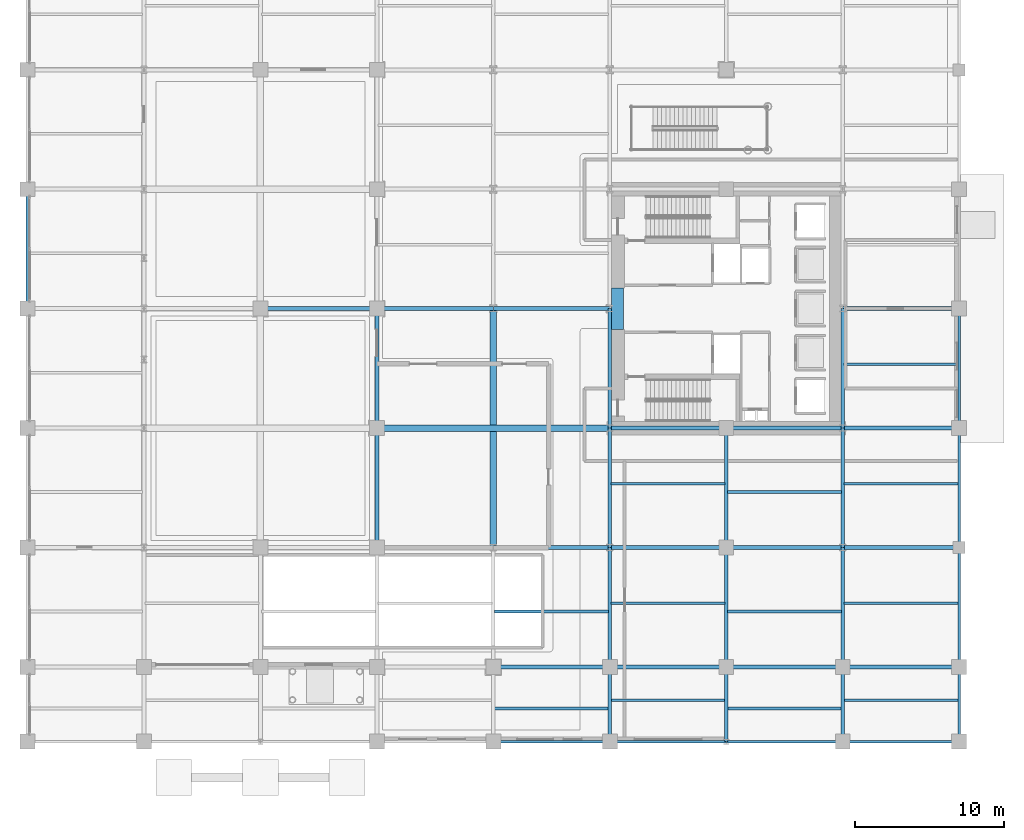
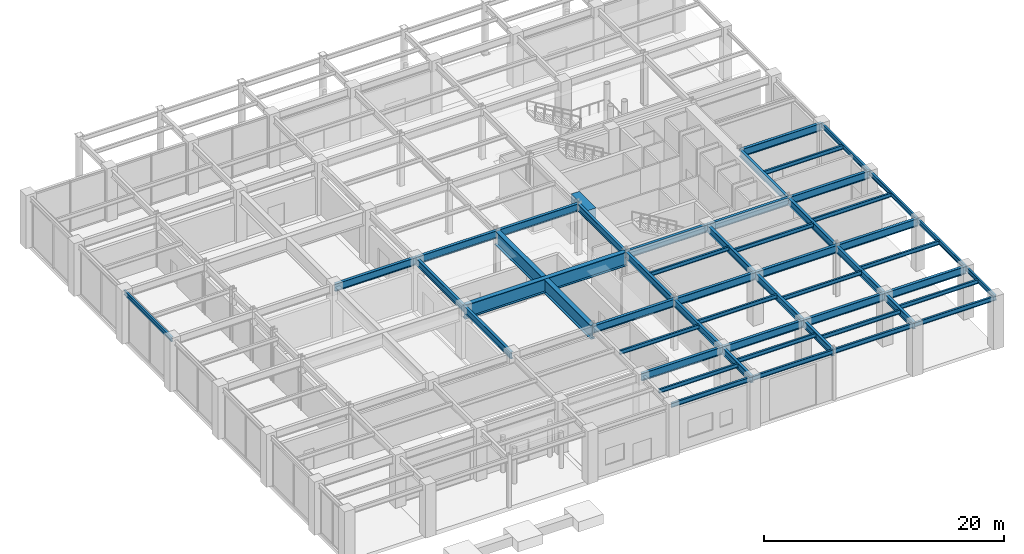
# One storey, part 10 of 27: 52 beams.
"""IFC4 building model written with IfcOpenShell, lengths in metres."""

from ifc_helpers import new_model, si_unit, direction, frame, origin, origin_2d, place, context, subcontext, project, spatial, rectangle, i_section, extrude, material, material_profile, profile_set, type_object, element, save


model = new_model("IFC4")

# Units and contexts
model_context = context("Model", 3, precision=1e-05, world=origin(), true_north=direction((0.0, 1.0)))
body_context = subcontext(model_context, "Body", "Model", "MODEL_VIEW")
ifc_project = project(units=[si_unit("LENGTHUNIT", "METRE"), si_unit("AREAUNIT", "SQUARE_METRE"), si_unit("VOLUMEUNIT", "CUBIC_METRE"), si_unit("PLANEANGLEUNIT", "RADIAN"), si_unit("MASSUNIT", "GRAM", prefix="KILO")], contexts=[model_context])

# Site, building, storey
site_placement = place(None, origin())
site = spatial("IfcSite", under=ifc_project, at=site_placement, CompositionType="ELEMENT")
building_placement = place(site_placement, origin())
building = spatial("IfcBuilding", under=site, at=building_placement, Name="Veymaron Broadcast Tower", CompositionType="ELEMENT")
storey_placement = place(building_placement, origin())
storey = spatial("IfcBuildingStorey", under=building, at=storey_placement, Name="L00", CompositionType="ELEMENT", Elevation=0.0)

# Beams
ifc_material_1 = material(Name="Concrete C70/85", Category="concrete")
ifc_material_profile_1 = material_profile(ifc_material_1, rectangle(XDim=0.800048828125, YDim=1.10009765625, at=origin_2d()), Name="RC800X1100")
ifc_profile_set_1 = profile_set([ifc_material_profile_1], Name="Concrete C70/85")
beam_type_1 = type_object("IfcBeamType", Name="BM-CB1", PredefinedType="LINTEL", material=ifc_profile_set_1)
beam_1_placement = place(storey_placement, frame((39.530029296875, 22.60009765625, 4.570068359375), z_axis=(0.0, 1.0, 0.0), x_axis=(-1.0, 0.0, 0.0)))
element("IfcBeam", 1, at=beam_1_placement, inside=storey, type_object=beam_type_1, Name="L00 Core Wall west coupling beam", PredefinedType="LINTEL", context=body_context, shape_type="SweptSolid", body=[
    extrude(rectangle(XDim=0.800048828125, YDim=1.10009765625, at=origin_2d()), origin(), (0.0, 0.0, 1.0), 2.7998046875),
])
ifc_material_2 = material(Name="Structural steel ASTM A992 Gr 50", Category="steel")
ifc_material_profile_2 = material_profile(ifc_material_2, i_section(OverallWidth=0.177978515625, OverallDepth=0.406982421875, WebThickness=0.0078125, FlangeThickness=0.0126953125, at=origin_2d()), Name="W410X60")
ifc_profile_set_2 = profile_set([ifc_material_profile_2], Name="Structural steel ASTM A992 Gr 50")
beam_type_2 = type_object("IfcBeamType", Name="BM-JS1", PredefinedType="JOIST", material=ifc_profile_set_2)
for number, where, z_axis, x_axis, name in (
    (2, (31.284912109375, -2.780029296875, 4.91650390625), (1.0, 0.0, 0.0), (0.0, 1.0, 0.0), "L00 podium secondary floor joist"),
    (3, (31.284912109375, 3.719970703125, 4.91650390625), (1.0, 0.0, 0.0), (0.0, 1.0, 0.0), "L00 podium secondary floor joist"),
    (4, (39.0849609375, -2.219970703125, 4.91650390625), (1.0, 0.0, 0.0), (0.0, 1.0, 0.0), "L00 podium secondary floor joist"),
    (5, (39.0849609375, 4.280029296875, 4.91650390625), (1.0, 0.0, 0.0), (0.0, 1.0, 0.0), "L00 podium secondary floor joist"),
    (6, (39.0849609375, 12.280029296875, 4.91650390625), (1.0, 0.0, 0.0), (0.0, 1.0, 0.0), "L00 podium secondary floor joist"),
):
    element("IfcBeam", number, at=place(storey_placement, frame(where, z_axis=z_axis, x_axis=x_axis)), inside=storey, type_object=beam_type_2, Name=name, PredefinedType="JOIST", context=body_context, shape_type="SweptSolid", body=[
        extrude(i_section(OverallWidth=0.177978515625, OverallDepth=0.406982421875, WebThickness=0.0078125, FlangeThickness=0.0126953125, at=origin_2d()), origin(), (0.0, 0.0, 1.0), 7.630126953125),
    ])
for number, where, z_axis, x_axis, name in (
    (7, (46.885009765625, -2.780029296875, 4.91650390625), (1.0, 0.0, 0.0), (0.0, 1.0, 0.0), "L00 podium secondary floor joist"),
    (8, (46.885009765625, 3.719970703125, 4.91650390625), (1.0, 0.0, 0.0), (0.0, 1.0, 0.0), "L00 podium secondary floor joist"),
    (9, (46.885009765625, 11.719970703125, 4.91650390625), (1.0, 0.0, 0.0), (0.0, 1.0, 0.0), "L00 podium secondary floor joist"),
    (10, (54.68505859375, -2.219970703125, 4.91650390625), (1.0, 0.0, 0.0), (0.0, 1.0, 0.0), "L00 podium secondary floor joist"),
    (11, (54.68505859375, 4.280029296875, 4.91650390625), (1.0, 0.0, 0.0), (0.0, 1.0, 0.0), "L00 podium secondary floor joist"),
    (12, (54.68505859375, 12.280029296875, 4.91650390625), (1.0, 0.0, 0.0), (0.0, 1.0, 0.0), "L00 podium secondary floor joist"),
    (13, (54.68505859375, 20.280029296875, 4.91650390625), (1.0, 0.0, 0.0), (0.0, 1.0, 0.0), "L00 podium secondary floor joist"),
):
    element("IfcBeam", number, at=place(storey_placement, frame(where, z_axis=z_axis, x_axis=x_axis)), inside=storey, type_object=beam_type_2, Name=name, PredefinedType="JOIST", context=body_context, shape_type="SweptSolid", body=[
        extrude(i_section(OverallWidth=0.177978515625, OverallDepth=0.406982421875, WebThickness=0.0078125, FlangeThickness=0.0126953125, at=origin_2d()), origin(), (0.0, 0.0, 1.0), 7.6298828125),
    ])
ifc_material_profile_3 = material_profile(ifc_material_2, i_section(OverallWidth=0.26806640625, OverallDepth=0.77001953125, WebThickness=0.015625, FlangeThickness=0.025390625, at=origin_2d()), Name="W760X196")
ifc_profile_set_3 = profile_set([ifc_material_profile_3], Name="Structural steel ASTM A992 Gr 50")
beam_type_3 = type_object("IfcBeamType", Name="BM-PG1", PredefinedType="BEAM", material=ifc_profile_set_3)
for number, where, z_axis, x_axis, name in (
    (14, (31.199951171875, 0.0, 4.735107421875), (1.0, 0.0, 0.0), (0.0, 1.0, 0.0), "L00 podium primary X-girder"),
    (15, (39.0, 0.0, 4.735107421875), (1.0, 0.0, 0.0), (0.0, 1.0, 0.0), "L00 podium primary X-girder"),
    (16, (46.800048828125, 0.0, 4.735107421875), (1.0, 0.0, 0.0), (0.0, 1.0, 0.0), "L00 podium primary X-girder"),
):
    element("IfcBeam", number, at=place(storey_placement, frame(where, z_axis=z_axis, x_axis=x_axis)), inside=storey, type_object=beam_type_3, Name=name, PredefinedType="BEAM", context=body_context, shape_type="SweptSolid", body=[
        extrude(i_section(OverallWidth=0.26806640625, OverallDepth=0.77001953125, WebThickness=0.015625, FlangeThickness=0.025390625, at=origin_2d()), origin(), (0.0, 0.0, 1.0), 7.800048828125),
    ])
beam_2_placement = place(storey_placement, frame((54.60009765625, 0.0, 4.735107421875), z_axis=(1.0, 0.0, 0.0), x_axis=(0.0, 1.0, 0.0)))
element("IfcBeam", 17, at=beam_2_placement, inside=storey, type_object=beam_type_3, Name="L00 podium primary X-girder", PredefinedType="BEAM", context=body_context, shape_type="SweptSolid", body=[
    extrude(i_section(OverallWidth=0.26806640625, OverallDepth=0.77001953125, WebThickness=0.015625, FlangeThickness=0.025390625, at=origin_2d()), origin(), (0.0, 0.0, 1.0), 7.7998046875),
])
for number, where, z_axis, x_axis, name in (
    (18, (31.199951171875, 8.0, 4.735107421875), (1.0, 0.0, 0.0), (0.0, 1.0, 0.0), "L00 podium primary X-girder"),
    (19, (39.0, 8.0, 4.735107421875), (1.0, 0.0, 0.0), (0.0, 1.0, 0.0), "L00 podium primary X-girder"),
    (20, (46.800048828125, 8.0, 4.735107421875), (1.0, 0.0, 0.0), (0.0, 1.0, 0.0), "L00 podium primary X-girder"),
):
    element("IfcBeam", number, at=place(storey_placement, frame(where, z_axis=z_axis, x_axis=x_axis)), inside=storey, type_object=beam_type_3, Name=name, PredefinedType="BEAM", context=body_context, shape_type="SweptSolid", body=[
        extrude(i_section(OverallWidth=0.26806640625, OverallDepth=0.77001953125, WebThickness=0.015625, FlangeThickness=0.025390625, at=origin_2d()), origin(), (0.0, 0.0, 1.0), 7.800048828125),
    ])
beam_3_placement = place(storey_placement, frame((54.60009765625, 8.0, 4.735107421875), z_axis=(1.0, 0.0, 0.0), x_axis=(0.0, 1.0, 0.0)))
element("IfcBeam", 21, at=beam_3_placement, inside=storey, type_object=beam_type_3, Name="L00 podium primary X-girder", PredefinedType="BEAM", context=body_context, shape_type="SweptSolid", body=[
    extrude(i_section(OverallWidth=0.26806640625, OverallDepth=0.77001953125, WebThickness=0.015625, FlangeThickness=0.025390625, at=origin_2d()), origin(), (0.0, 0.0, 1.0), 7.7998046875),
])
for number, where, z_axis, x_axis, name in (
    (22, (39.0, 16.0, 4.735107421875), (1.0, 0.0, 0.0), (0.0, 1.0, 0.0), "L00 podium primary X-girder"),
    (23, (46.800048828125, 16.0, 4.735107421875), (1.0, 0.0, 0.0), (0.0, 1.0, 0.0), "L00 podium primary X-girder"),
):
    element("IfcBeam", number, at=place(storey_placement, frame(where, z_axis=z_axis, x_axis=x_axis)), inside=storey, type_object=beam_type_3, Name=name, PredefinedType="BEAM", context=body_context, shape_type="SweptSolid", body=[
        extrude(i_section(OverallWidth=0.26806640625, OverallDepth=0.77001953125, WebThickness=0.015625, FlangeThickness=0.025390625, at=origin_2d()), origin(), (0.0, 0.0, 1.0), 7.800048828125),
    ])
for number, where, z_axis, x_axis, name in (
    (24, (54.60009765625, 16.0, 4.735107421875), (1.0, 0.0, 0.0), (0.0, 1.0, 0.0), "L00 podium primary X-girder"),
    (25, (15.60009765625, 24.0, 4.735107421875), (1.0, 0.0, 0.0), (0.0, 1.0, 0.0), "L00 podium primary X-girder"),
):
    element("IfcBeam", number, at=place(storey_placement, frame(where, z_axis=z_axis, x_axis=x_axis)), inside=storey, type_object=beam_type_3, Name=name, PredefinedType="BEAM", context=body_context, shape_type="SweptSolid", body=[
        extrude(i_section(OverallWidth=0.26806640625, OverallDepth=0.77001953125, WebThickness=0.015625, FlangeThickness=0.025390625, at=origin_2d()), origin(), (0.0, 0.0, 1.0), 7.7998046875),
    ])
for number, where, z_axis, x_axis, name in (
    (26, (23.39990234375, 24.0, 4.735107421875), (1.0, 0.0, 0.0), (0.0, 1.0, 0.0), "L00 podium primary X-girder"),
    (27, (31.199951171875, 24.0, 4.735107421875), (1.0, 0.0, 0.0), (0.0, 1.0, 0.0), "L00 podium primary X-girder"),
):
    element("IfcBeam", number, at=place(storey_placement, frame(where, z_axis=z_axis, x_axis=x_axis)), inside=storey, type_object=beam_type_3, Name=name, PredefinedType="BEAM", context=body_context, shape_type="SweptSolid", body=[
        extrude(i_section(OverallWidth=0.26806640625, OverallDepth=0.77001953125, WebThickness=0.015625, FlangeThickness=0.025390625, at=origin_2d()), origin(), (0.0, 0.0, 1.0), 7.800048828125),
    ])
beam_4_placement = place(storey_placement, frame((54.60009765625, 24.0, 4.735107421875), z_axis=(1.0, 0.0, 0.0), x_axis=(0.0, 1.0, 0.0)))
element("IfcBeam", 28, at=beam_4_placement, inside=storey, type_object=beam_type_3, Name="L00 podium primary X-girder", PredefinedType="BEAM", context=body_context, shape_type="SweptSolid", body=[
    extrude(i_section(OverallWidth=0.26806640625, OverallDepth=0.77001953125, WebThickness=0.015625, FlangeThickness=0.025390625, at=origin_2d()), origin(), (0.0, 0.0, 1.0), 7.7998046875),
])
ifc_material_profile_4 = material_profile(ifc_material_2, i_section(OverallWidth=0.256103515625, OverallDepth=0.693115234375, WebThickness=0.014404296875, FlangeThickness=0.023681640625, at=origin_2d()), Name="W690X170")
ifc_profile_set_4 = profile_set([ifc_material_profile_4], Name="Structural steel ASTM A992 Gr 50")
beam_type_4 = type_object("IfcBeamType", Name="BM-PG2", PredefinedType="BEAM", material=ifc_profile_set_4)
for number, where, z_axis, x_axis, name in (
    (29, (23.39990234375, 8.0, 4.7734375), (0.0, 1.0, 0.0), (-1.0, 0.0, 0.0), "L00 podium primary Y-girder"),
    (30, (23.39990234375, 16.0, 4.7734375), (0.0, 1.0, 0.0), (-1.0, 0.0, 0.0), "L00 podium primary Y-girder"),
):
    element("IfcBeam", number, at=place(storey_placement, frame(where, z_axis=z_axis, x_axis=x_axis)), inside=storey, type_object=beam_type_4, Name=name, PredefinedType="BEAM", context=body_context, shape_type="SweptSolid", body=[
        extrude(i_section(OverallWidth=0.256103515625, OverallDepth=0.693115234375, WebThickness=0.014404296875, FlangeThickness=0.023681640625, at=origin_2d()), origin(), (0.0, 0.0, 1.0), 8.0),
    ])
beam_5_placement = place(storey_placement, frame((39.0, -5.0, 4.7734375), z_axis=(0.0, 1.0, 0.0), x_axis=(-1.0, 0.0, 0.0)))
element("IfcBeam", 31, at=beam_5_placement, inside=storey, type_object=beam_type_4, Name="L00 podium primary Y-girder", PredefinedType="BEAM", context=body_context, shape_type="SweptSolid", body=[
    extrude(i_section(OverallWidth=0.256103515625, OverallDepth=0.693115234375, WebThickness=0.014404296875, FlangeThickness=0.023681640625, at=origin_2d()), origin(), (0.0, 0.0, 1.0), 5.0),
])
for number, where, z_axis, x_axis, name in (
    (32, (39.0, 0.0, 4.7734375), (0.0, 1.0, 0.0), (-1.0, 0.0, 0.0), "L00 podium primary Y-girder"),
    (33, (39.0, 8.0, 4.7734375), (0.0, 1.0, 0.0), (-1.0, 0.0, 0.0), "L00 podium primary Y-girder"),
    (34, (39.0, 16.0, 4.7734375), (0.0, 1.0, 0.0), (-1.0, 0.0, 0.0), "L00 podium primary Y-girder"),
):
    element("IfcBeam", number, at=place(storey_placement, frame(where, z_axis=z_axis, x_axis=x_axis)), inside=storey, type_object=beam_type_4, Name=name, PredefinedType="BEAM", context=body_context, shape_type="SweptSolid", body=[
        extrude(i_section(OverallWidth=0.256103515625, OverallDepth=0.693115234375, WebThickness=0.014404296875, FlangeThickness=0.023681640625, at=origin_2d()), origin(), (0.0, 0.0, 1.0), 8.0),
    ])
beam_6_placement = place(storey_placement, frame((46.800048828125, -5.0, 4.7734375), z_axis=(0.0, 1.0, 0.0), x_axis=(-1.0, 0.0, 0.0)))
element("IfcBeam", 35, at=beam_6_placement, inside=storey, type_object=beam_type_4, Name="L00 podium primary Y-girder", PredefinedType="BEAM", context=body_context, shape_type="SweptSolid", body=[
    extrude(i_section(OverallWidth=0.256103515625, OverallDepth=0.693115234375, WebThickness=0.014404296875, FlangeThickness=0.023681640625, at=origin_2d()), origin(), (0.0, 0.0, 1.0), 5.0),
])
for number, where, z_axis, x_axis, name in (
    (36, (46.800048828125, 0.0, 4.7734375), (0.0, 1.0, 0.0), (-1.0, 0.0, 0.0), "L00 podium primary Y-girder"),
    (37, (46.800048828125, 8.0, 4.7734375), (0.0, 1.0, 0.0), (-1.0, 0.0, 0.0), "L00 podium primary Y-girder"),
):
    element("IfcBeam", number, at=place(storey_placement, frame(where, z_axis=z_axis, x_axis=x_axis)), inside=storey, type_object=beam_type_4, Name=name, PredefinedType="BEAM", context=body_context, shape_type="SweptSolid", body=[
        extrude(i_section(OverallWidth=0.256103515625, OverallDepth=0.693115234375, WebThickness=0.014404296875, FlangeThickness=0.023681640625, at=origin_2d()), origin(), (0.0, 0.0, 1.0), 8.0),
    ])
beam_7_placement = place(storey_placement, frame((54.60009765625, -5.0, 4.7734375), z_axis=(0.0, 1.0, 0.0), x_axis=(-1.0, 0.0, 0.0)))
element("IfcBeam", 38, at=beam_7_placement, inside=storey, type_object=beam_type_4, Name="L00 podium primary Y-girder", PredefinedType="BEAM", context=body_context, shape_type="SweptSolid", body=[
    extrude(i_section(OverallWidth=0.256103515625, OverallDepth=0.693115234375, WebThickness=0.014404296875, FlangeThickness=0.023681640625, at=origin_2d()), origin(), (0.0, 0.0, 1.0), 5.0),
])
for number, where, z_axis, x_axis, name in (
    (39, (54.60009765625, 0.0, 4.7734375), (0.0, 1.0, 0.0), (-1.0, 0.0, 0.0), "L00 podium primary Y-girder"),
    (40, (54.60009765625, 8.0, 4.7734375), (0.0, 1.0, 0.0), (-1.0, 0.0, 0.0), "L00 podium primary Y-girder"),
    (41, (54.60009765625, 16.0, 4.7734375), (0.0, 1.0, 0.0), (-1.0, 0.0, 0.0), "L00 podium primary Y-girder"),
):
    element("IfcBeam", number, at=place(storey_placement, frame(where, z_axis=z_axis, x_axis=x_axis)), inside=storey, type_object=beam_type_4, Name=name, PredefinedType="BEAM", context=body_context, shape_type="SweptSolid", body=[
        extrude(i_section(OverallWidth=0.256103515625, OverallDepth=0.693115234375, WebThickness=0.014404296875, FlangeThickness=0.023681640625, at=origin_2d()), origin(), (0.0, 0.0, 1.0), 8.0),
    ])
ifc_material_profile_5 = material_profile(ifc_material_2, i_section(OverallWidth=0.19091796875, OverallDepth=0.4599609375, WebThickness=0.010009765625, FlangeThickness=0.01611328125, at=origin_2d()), Name="W460X82")
ifc_profile_set_5 = profile_set([ifc_material_profile_5], Name="Structural steel ASTM A992 Gr 50")
beam_type_5 = type_object("IfcBeamType", Name="BM-SP1", PredefinedType="SPANDREL", material=ifc_profile_set_5)
for number, where, z_axis, x_axis, name in (
    (42, (31.199951171875, -5.0, 4.889892578125), (1.0, 0.0, 0.0), (0.0, 1.0, 0.0), "L00 podium primary X-girder"),
    (43, (39.0, -5.0, 4.889892578125), (1.0, 0.0, 0.0), (0.0, 1.0, 0.0), "L00 podium primary X-girder"),
    (44, (46.800048828125, -5.0, 4.889892578125), (1.0, 0.0, 0.0), (0.0, 1.0, 0.0), "L00 podium primary X-girder"),
):
    element("IfcBeam", number, at=place(storey_placement, frame(where, z_axis=z_axis, x_axis=x_axis)), inside=storey, type_object=beam_type_5, Name=name, PredefinedType="SPANDREL", context=body_context, shape_type="SweptSolid", body=[
        extrude(i_section(OverallWidth=0.19091796875, OverallDepth=0.4599609375, WebThickness=0.010009765625, FlangeThickness=0.01611328125, at=origin_2d()), origin(), (0.0, 0.0, 1.0), 7.800048828125),
    ])
beam_8_placement = place(storey_placement, frame((54.60009765625, -5.0, 4.889892578125), z_axis=(1.0, 0.0, 0.0), x_axis=(0.0, 1.0, 0.0)))
element("IfcBeam", 45, at=beam_8_placement, inside=storey, type_object=beam_type_5, Name="L00 podium primary X-girder", PredefinedType="SPANDREL", context=body_context, shape_type="SweptSolid", body=[
    extrude(i_section(OverallWidth=0.19091796875, OverallDepth=0.4599609375, WebThickness=0.010009765625, FlangeThickness=0.01611328125, at=origin_2d()), origin(), (0.0, 0.0, 1.0), 7.7998046875),
])
beam_9_placement = place(storey_placement, frame((0.0, 24.0, 4.889892578125), z_axis=(0.0, 1.0, 0.0), x_axis=(-1.0, 0.0, 0.0)))
element("IfcBeam", 46, at=beam_9_placement, inside=storey, type_object=beam_type_5, Name="L00 podium primary Y-girder", PredefinedType="SPANDREL", context=body_context, shape_type="SweptSolid", body=[
    extrude(i_section(OverallWidth=0.19091796875, OverallDepth=0.4599609375, WebThickness=0.010009765625, FlangeThickness=0.01611328125, at=origin_2d()), origin(), (0.0, 0.0, 1.0), 8.0),
])
beam_10_placement = place(storey_placement, frame((62.39990234375, -5.0, 4.889892578125), z_axis=(0.0, 1.0, 0.0), x_axis=(-1.0, 0.0, 0.0)))
element("IfcBeam", 47, at=beam_10_placement, inside=storey, type_object=beam_type_5, Name="L00 podium primary Y-girder", PredefinedType="SPANDREL", context=body_context, shape_type="SweptSolid", body=[
    extrude(i_section(OverallWidth=0.19091796875, OverallDepth=0.4599609375, WebThickness=0.010009765625, FlangeThickness=0.01611328125, at=origin_2d()), origin(), (0.0, 0.0, 1.0), 5.0),
])
for number, where, z_axis, x_axis, name in (
    (48, (62.39990234375, 0.0, 4.889892578125), (0.0, 1.0, 0.0), (-1.0, 0.0, 0.0), "L00 podium primary Y-girder"),
    (49, (62.39990234375, 8.0, 4.889892578125), (0.0, 1.0, 0.0), (-1.0, 0.0, 0.0), "L00 podium primary Y-girder"),
    (50, (62.39990234375, 16.0, 4.889892578125), (0.0, 1.0, 0.0), (-1.0, 0.0, 0.0), "L00 podium primary Y-girder"),
):
    element("IfcBeam", number, at=place(storey_placement, frame(where, z_axis=z_axis, x_axis=x_axis)), inside=storey, type_object=beam_type_5, Name=name, PredefinedType="SPANDREL", context=body_context, shape_type="SweptSolid", body=[
        extrude(i_section(OverallWidth=0.19091796875, OverallDepth=0.4599609375, WebThickness=0.010009765625, FlangeThickness=0.01611328125, at=origin_2d()), origin(), (0.0, 0.0, 1.0), 8.0),
    ])
ifc_material_3 = material(Name="Structural steel ASTM A913 Gr 65", Category="steel")
ifc_material_profile_6 = material_profile(ifc_material_3, i_section(OverallWidth=0.429931640625, OverallDepth=1.419921875, WebThickness=0.030029296875, FlangeThickness=0.050048828125, at=origin_2d()), Name="W1400X550")
ifc_profile_set_6 = profile_set([ifc_material_profile_6], Name="Structural steel ASTM A913 Gr 65")
beam_type_6 = type_object("IfcBeamType", Name="BM-TG0", PredefinedType="BEAM", material=ifc_profile_set_6)
beam_11_placement = place(storey_placement, frame((23.39990234375, 16.0, 4.409912109375), z_axis=(1.0, 0.0, 0.0), x_axis=(0.0, 1.0, 0.0)))
element("IfcBeam", 51, at=beam_11_placement, inside=storey, type_object=beam_type_6, Name="L00 podium primary X-girder", PredefinedType="BEAM", context=body_context, shape_type="SweptSolid", body=[
    extrude(i_section(OverallWidth=0.429931640625, OverallDepth=1.419921875, WebThickness=0.030029296875, FlangeThickness=0.050048828125, at=origin_2d()), origin(), (0.0, 0.0, 1.0), 15.60009765625),
])
beam_12_placement = place(storey_placement, frame((31.199951171875, 8.0, 4.409912109375), z_axis=(0.0, 1.0, 0.0), x_axis=(-1.0, 0.0, 0.0)))
element("IfcBeam", 52, at=beam_12_placement, inside=storey, type_object=beam_type_6, Name="L00 podium primary Y-girder", PredefinedType="BEAM", context=body_context, shape_type="SweptSolid", body=[
    extrude(i_section(OverallWidth=0.429931640625, OverallDepth=1.419921875, WebThickness=0.030029296875, FlangeThickness=0.050048828125, at=origin_2d()), origin(), (0.0, 0.0, 1.0), 16.0),
])

save(model, "model.ifc")
